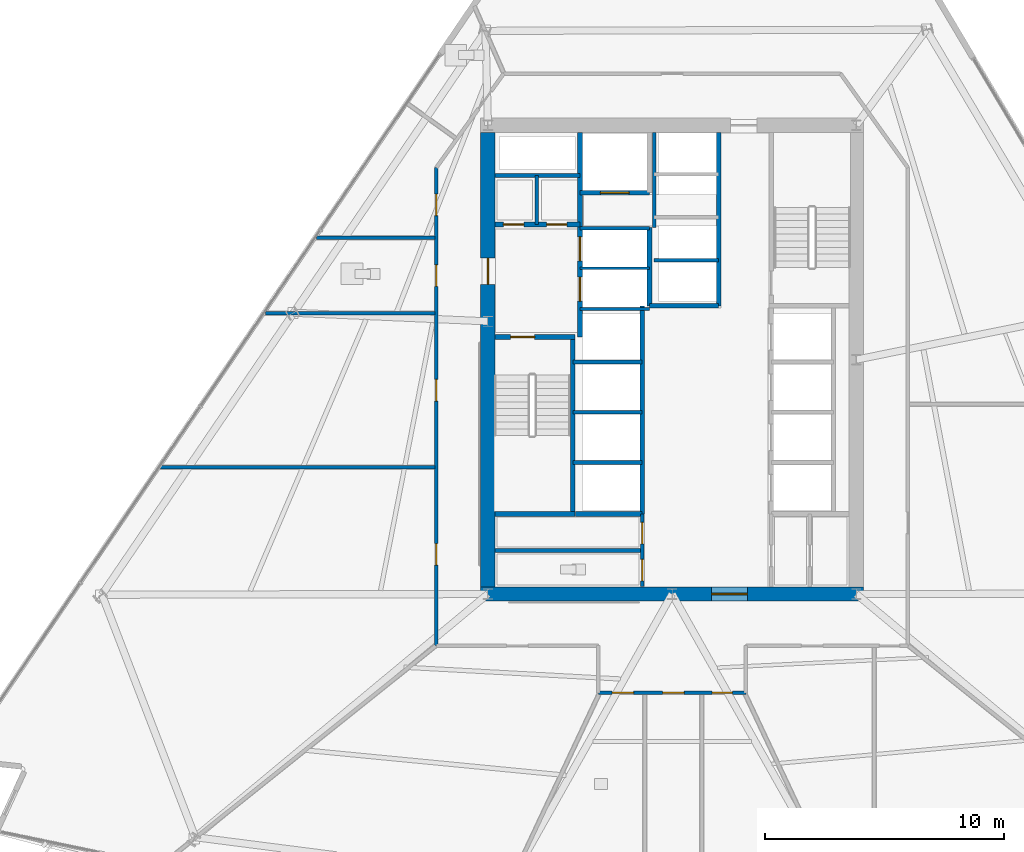
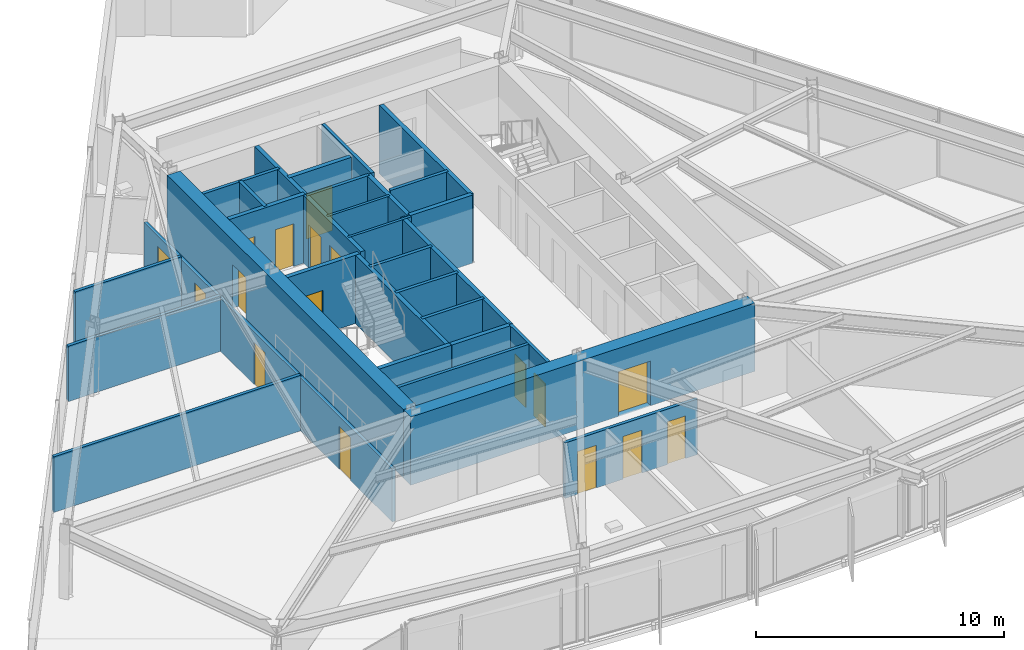
# One storey, part 9 of 18: 30 walls, 17 doors, 17 openings.
"""IFC4 building model written with IfcOpenShell, lengths in metres."""

from ifc_helpers import new_model, si_unit, direction, frame, frame_2d, origin, place, context, subcontext, project, spatial, rectangle, extrude, material, layer, layer_set, type_object, element, fill, save


model = new_model("IFC4")

# Units and contexts
model_context = context("Model", 3, precision=1e-05, world=origin(), true_north=direction((0.0, 1.0)))
body_context = subcontext(model_context, "Body", "Model", "MODEL_VIEW")
ifc_project = project(units=[si_unit("LENGTHUNIT", "METRE"), si_unit("AREAUNIT", "SQUARE_METRE"), si_unit("VOLUMEUNIT", "CUBIC_METRE"), si_unit("PLANEANGLEUNIT", "RADIAN"), si_unit("MASSUNIT", "GRAM", prefix="KILO")], contexts=[model_context])

# Site, building, storey
site_placement = place(None, origin())
site = spatial("IfcSite", under=ifc_project, at=site_placement, CompositionType="ELEMENT")
building_placement = place(site_placement, origin())
building = spatial("IfcBuilding", under=site, at=building_placement, Name="Savorim Split Tower", CompositionType="ELEMENT")
storey_placement = place(building_placement, frame((0.0, 0.0, 44.39990234375)))
storey = spatial("IfcBuildingStorey", under=building, at=storey_placement, Name="L11", CompositionType="ELEMENT", Elevation=44.39990234375)

# Wall, opening, door
ifc_material_1 = material(Name="Concrete C60/75", Category="concrete")
ifc_layer_1 = layer(ifc_material_1, 0.60009765625)
ifc_layer_set_1 = layer_set([ifc_layer_1], Name="WAL-COR-SH600")
wall_type_1 = type_object("IfcWallType", Name="WAL-COR-SH600", PredefinedType="SHEAR", material=ifc_layer_set_1)
wall_1_placement = place(storey_placement, frame((-8.0, -9.39990234375, 0.0), z_axis=(0.0, 0.0, 1.0), x_axis=(1.0, 0.0, 0.0)))
wall_1 = element("IfcWall", 1, at=wall_1_placement, inside=storey, type_object=wall_type_1, Name="L11 Offset Core South Shear Wall", PredefinedType="SHEAR", context=body_context, shape_type="SweptSolid", body=[
    extrude(rectangle(XDim=16.0, YDim=0.60009765625, at=frame_2d((8.0, 0.0))), origin(), (0.0, 0.0, 1.0), 3.35009765625),
])
opening_1_placement = place(wall_1_placement, frame((9.64990234375, 0.0, 0.0)))
opening_1 = element("IfcOpeningElement", 2, at=opening_1_placement, cuts=wall_1, Name="Opening DI-02", PredefinedType="OPENING", context=body_context, shape_type="SweptSolid", body=[
    extrude(rectangle(XDim=1.5, YDim=2.199951171875, at=frame_2d((0.75, 1.10009765625))), frame((0.0, 0.31005859375, 0.0), z_axis=(0.0, -1.0, 0.0), x_axis=(1.0, 0.0, 0.0)), (0.0, 0.0, 1.0), 0.6201171875),
])
ifc_material_2 = material(Name="Timber Fire Door Leaf", Category="wood")
door_type_1 = type_object("IfcDoorType", Name="DOR-DBL-1500", OperationType="NOTDEFINED", PredefinedType="DOOR", material=ifc_material_2)
door_1_placement = place(opening_1_placement, origin())
door_1 = element("IfcDoor", 3, at=door_1_placement, inside=storey, type_object=door_type_1, Name="DOR-L11-COR-LLOB - L11 Lift Lobby Main Rated Door", OperationType="DOUBLE_DOOR_SINGLE_SWING", OverallHeight=2.199951171875, OverallWidth=1.5, PredefinedType="DOOR", context=body_context, shape_type="SweptSolid", body=[
    extrude(rectangle(XDim=1.5, YDim=2.199951171875, at=frame_2d((0.75, 1.10009765625))), frame((0.0, 0.02490234375, 0.0), z_axis=(0.0, -1.0, 0.0), x_axis=(1.0, 0.0, 0.0)), (0.0, 0.0, 1.0), 0.050048828125),
])
fill(opening_1, door_1)

wall_2_placement = place(storey_placement, frame((-7.699951171875, -9.10009765625, 0.0), z_axis=(0.0, 0.0, 1.0), x_axis=(0.0, 1.0, 0.0)))
wall_2 = element("IfcWall", 4, at=wall_2_placement, inside=storey, type_object=wall_type_1, Name="L11 Offset Core West Shear Wall", PredefinedType="SHEAR", context=body_context, shape_type="SweptSolid", body=[
    extrude(rectangle(XDim=19.0, YDim=0.60009765625, at=frame_2d((9.5, 0.0))), origin(), (0.0, 0.0, 1.0), 3.35009765625),
])
opening_2_placement = place(wall_2_placement, frame((12.64990234375, 0.0, 0.0)))
opening_2 = element("IfcOpeningElement", 5, at=opening_2_placement, cuts=wall_2, Name="Opening DI-03", PredefinedType="OPENING", context=body_context, shape_type="SweptSolid", body=[
    extrude(rectangle(XDim=1.10009765625, YDim=2.14990234375, at=frame_2d((0.550048828125, 1.074951171875))), frame((0.0, 0.31005859375, 0.0), z_axis=(0.0, -1.0, 0.0), x_axis=(1.0, 0.0, 0.0)), (0.0, 0.0, 1.0), 0.6201171875),
])
door_type_2 = type_object("IfcDoorType", Name="DOR-FIR-1100", OperationType="NOTDEFINED", PredefinedType="DOOR", material=ifc_material_2)
door_2_placement = place(opening_2_placement, origin())
door_2 = element("IfcDoor", 6, at=door_2_placement, inside=storey, type_object=door_type_2, Name="DOR-L11-COR-FFLOB - L11 Firefighting Lobby Corridor Door", OperationType="SINGLE_SWING_LEFT", OverallHeight=2.14990234375, OverallWidth=1.10009765625, PredefinedType="DOOR", context=body_context, shape_type="SweptSolid", body=[
    extrude(rectangle(XDim=1.10009765625, YDim=2.14990234375, at=frame_2d((0.550048828125, 1.074951171875))), frame((0.0, 0.02490234375, 0.0), z_axis=(0.0, -1.0, 0.0), x_axis=(1.0, 0.0, 0.0)), (0.0, 0.0, 1.0), 0.050048828125),
])
fill(opening_2, door_2)

ifc_material_3 = material(Name="Concrete C50/60", Category="concrete")
ifc_layer_2 = layer(ifc_material_3, 0.199951171875)
ifc_layer_set_2 = layer_set([ifc_layer_2], Name="WAL-INT-RC200")
wall_type_2 = type_object("IfcWallType", Name="WAL-INT-RC200", PredefinedType="SOLIDWALL", material=ifc_layer_set_2)
wall_3_placement = place(storey_placement, frame((-7.39990234375, 1.35009765625, 0.0), z_axis=(0.0, 0.0, 1.0), x_axis=(1.0, 0.0, 0.0)))
wall_3 = element("IfcWall", 7, at=wall_3_placement, inside=storey, type_object=wall_type_2, Name="L11 Structural Shaft Wall W-L11-CR01", PredefinedType="SOLIDWALL", context=body_context, shape_type="SweptSolid", body=[
    extrude(rectangle(XDim=3.349853515625, YDim=0.199951171875, at=frame_2d((1.6748046875, 0.0))), origin(), (0.0, 0.0, 1.0), 3.35009765625),
])
opening_3_placement = place(wall_3_placement, frame((0.64990234375, 0.0, 0.0)))
opening_3 = element("IfcOpeningElement", 8, at=opening_3_placement, cuts=wall_3, Name="Opening DI-04", PredefinedType="OPENING", context=body_context, shape_type="SweptSolid", body=[
    extrude(rectangle(XDim=1.0, YDim=2.14990234375, at=frame_2d((0.5, 1.074951171875))), frame((0.0, 0.10986328125, 0.0), z_axis=(0.0, -1.0, 0.0), x_axis=(1.0, 0.0, 0.0)), (0.0, 0.0, 1.0), 0.219970703125),
])
door_type_3 = type_object("IfcDoorType", Name="DOR-FIR-1000", OperationType="NOTDEFINED", PredefinedType="DOOR", material=ifc_material_2)
door_3_placement = place(opening_3_placement, origin())
door_3 = element("IfcDoor", 9, at=door_3_placement, inside=storey, type_object=door_type_3, Name="DR-L11-ST1 - L11 Stair ST-1 Enclosure Door", OperationType="SINGLE_SWING_LEFT", OverallHeight=2.14990234375, OverallWidth=1.0, PredefinedType="DOOR", context=body_context, shape_type="SweptSolid", body=[
    extrude(rectangle(XDim=1.0, YDim=2.14990234375, at=frame_2d((0.5, 1.074951171875))), frame((0.0, 0.02490234375, 0.0), z_axis=(0.0, -1.0, 0.0), x_axis=(1.0, 0.0, 0.0)), (0.0, 0.0, 1.0), 0.050048828125),
])
fill(opening_3, door_3)

# Wall
wall_4_placement = place(storey_placement, frame((-4.14990234375, -5.949951171875, 0.0), z_axis=(0.0, 0.0, 1.0), x_axis=(0.0, 1.0, 0.0)))
element("IfcWall", 10, at=wall_4_placement, inside=storey, type_object=wall_type_2, Name="L11 Structural Shaft Wall W-L11-CR02", PredefinedType="SOLIDWALL", context=body_context, shape_type="SweptSolid", body=[
    extrude(rectangle(XDim=7.199951171875, YDim=0.199951171875, at=frame_2d((3.60009765625, 0.0))), origin(), (0.0, 0.0, 1.0), 3.35009765625),
])

# Wall, openings, doors
wall_5_placement = place(storey_placement, frame((-3.85009765625, 1.35009765625, 0.0), z_axis=(0.0, 0.0, 1.0), x_axis=(0.0, 1.0, 0.0)))
wall_5 = element("IfcWall", 11, at=wall_5_placement, inside=storey, type_object=wall_type_2, Name="L11 Partition W-L11-CR03", PredefinedType="SOLIDWALL", context=body_context, shape_type="SweptSolid", body=[
    extrude(rectangle(XDim=8.544921875, YDim=0.199951171875, at=frame_2d((4.2724609375, 0.0))), origin(), (0.0, 0.0, 1.0), 3.35009765625),
])
opening_4_placement = place(wall_5_placement, frame((1.5, 0.0, 0.0)))
opening_4 = element("IfcOpeningElement", 12, at=opening_4_placement, cuts=wall_5, Name="Opening LD-FFL", PredefinedType="OPENING", context=body_context, shape_type="SweptSolid", body=[
    extrude(rectangle(XDim=1.0, YDim=2.14990234375, at=frame_2d((0.5, 1.074951171875))), frame((0.0, 0.10986328125, 0.0), z_axis=(0.0, -1.0, 0.0), x_axis=(1.0, 0.0, 0.0)), (0.0, 0.0, 1.0), 0.219970703125),
])
opening_5_placement = place(wall_5_placement, frame((3.179931640625, 0.0, 0.0)))
opening_5 = element("IfcOpeningElement", 13, at=opening_5_placement, cuts=wall_5, Name="Opening LD-FFL", PredefinedType="OPENING", context=body_context, shape_type="SweptSolid", body=[
    extrude(rectangle(XDim=1.0, YDim=2.14990234375, at=frame_2d((0.5, 1.074951171875))), frame((0.0, 0.10986328125, 0.0), z_axis=(0.0, -1.0, 0.0), x_axis=(1.0, 0.0, 0.0)), (0.0, 0.0, 1.0), 0.219970703125),
])
ifc_material_4 = material(Name="Charcoal Anodised Aluminium", Category="aluminium")
door_type_4 = type_object("IfcDoorType", Name="DOR-SLD-LD1000", OperationType="NOTDEFINED", PredefinedType="DOOR", material=ifc_material_4)
door_4_placement = place(opening_4_placement, origin())
door_4 = element("IfcDoor", 14, at=door_4_placement, inside=storey, type_object=door_type_4, Name="DR-L11-LD-FFL1 - L11 Firefighting Lift FFL-1 Sliding Landing Door", OperationType="DOUBLE_DOOR_SLIDING", OverallHeight=2.14990234375, OverallWidth=1.0, PredefinedType="DOOR", context=body_context, shape_type="SweptSolid", body=[
    extrude(rectangle(XDim=1.0, YDim=2.14990234375, at=frame_2d((0.5, 1.074951171875))), frame((0.0, 0.02490234375, 0.0), z_axis=(0.0, -1.0, 0.0), x_axis=(1.0, 0.0, 0.0)), (0.0, 0.0, 1.0), 0.050048828125),
])
fill(opening_4, door_4)
door_5_placement = place(opening_5_placement, origin())
door_5 = element("IfcDoor", 15, at=door_5_placement, inside=storey, type_object=door_type_4, Name="DR-L11-LD-FFL2 - L11 Firefighting Lift FFL-2 Sliding Landing Door", OperationType="DOUBLE_DOOR_SLIDING", OverallHeight=2.14990234375, OverallWidth=1.0, PredefinedType="DOOR", context=body_context, shape_type="SweptSolid", body=[
    extrude(rectangle(XDim=1.0, YDim=2.14990234375, at=frame_2d((0.5, 1.074951171875))), frame((0.0, 0.02490234375, 0.0), z_axis=(0.0, -1.0, 0.0), x_axis=(1.0, 0.0, 0.0)), (0.0, 0.0, 1.0), 0.050048828125),
])
fill(opening_5, door_5)

wall_6_placement = place(storey_placement, frame((-7.39501953125, 6.050048828125, 0.0), z_axis=(0.0, 0.0, 1.0), x_axis=(1.0, 0.0, 0.0)))
wall_6 = element("IfcWall", 16, at=wall_6_placement, inside=storey, type_object=wall_type_2, Name="L11 Partition W-L11-CR04", PredefinedType="SOLIDWALL", context=body_context, shape_type="SweptSolid", body=[
    extrude(rectangle(XDim=3.544921875, YDim=0.199951171875, at=frame_2d((1.7724609375, 0.0))), origin(), (0.0, 0.0, 1.0), 3.35009765625),
])
opening_6_placement = place(wall_6_placement, frame((0.344970703125, 0.0, 0.0)))
opening_6 = element("IfcOpeningElement", 17, at=opening_6_placement, cuts=wall_6, Name="Opening DI-12", PredefinedType="OPENING", context=body_context, shape_type="SweptSolid", body=[
    extrude(rectangle(XDim=0.85009765625, YDim=2.10009765625, at=frame_2d((0.425048828125, 1.050048828125))), frame((0.0, 0.10986328125, 0.0), z_axis=(0.0, -1.0, 0.0), x_axis=(1.0, 0.0, 0.0)), (0.0, 0.0, 1.0), 0.219970703125),
])
opening_7_placement = place(wall_6_placement, frame((2.14501953125, 0.0, 0.0)))
opening_7 = element("IfcOpeningElement", 18, at=opening_7_placement, cuts=wall_6, Name="Opening DI-12", PredefinedType="OPENING", context=body_context, shape_type="SweptSolid", body=[
    extrude(rectangle(XDim=0.85009765625, YDim=2.10009765625, at=frame_2d((0.425048828125, 1.050048828125))), frame((0.0, 0.10986328125, 0.0), z_axis=(0.0, -1.0, 0.0), x_axis=(1.0, 0.0, 0.0)), (0.0, 0.0, 1.0), 0.219970703125),
])
ifc_material_5 = material(Name="Galvanised Painted Steel Balustrade", Category="steel")
door_type_5 = type_object("IfcDoorType", Name="DOR-RIS-850", OperationType="NOTDEFINED", PredefinedType="DOOR", material=ifc_material_5)
door_6_placement = place(opening_6_placement, origin())
door_6 = element("IfcDoor", 19, at=door_6_placement, inside=storey, type_object=door_type_5, Name="DR-L11-ELR - L11 Electrical Riser Access Door", OperationType="SINGLE_SWING_RIGHT", OverallHeight=2.10009765625, OverallWidth=0.85009765625, PredefinedType="DOOR", context=body_context, shape_type="SweptSolid", body=[
    extrude(rectangle(XDim=0.85009765625, YDim=2.10009765625, at=frame_2d((0.425048828125, 1.050048828125))), frame((0.0, 0.02490234375, 0.0), z_axis=(0.0, -1.0, 0.0), x_axis=(1.0, 0.0, 0.0)), (0.0, 0.0, 1.0), 0.050048828125),
])
fill(opening_6, door_6)
door_7_placement = place(opening_7_placement, origin())
door_7 = element("IfcDoor", 20, at=door_7_placement, inside=storey, type_object=door_type_5, Name="DR-L11-TLR - L11 Telecom Riser Access Door", OperationType="SINGLE_SWING_LEFT", OverallHeight=2.10009765625, OverallWidth=0.85009765625, PredefinedType="DOOR", context=body_context, shape_type="SweptSolid", body=[
    extrude(rectangle(XDim=0.85009765625, YDim=2.10009765625, at=frame_2d((0.425048828125, 1.050048828125))), frame((0.0, 0.02490234375, 0.0), z_axis=(0.0, -1.0, 0.0), x_axis=(1.0, 0.0, 0.0)), (0.0, 0.0, 1.0), 0.050048828125),
])
fill(opening_7, door_7)

# Wall
wall_7_placement = place(storey_placement, frame((-0.949951171875, 2.64990234375, 0.0), z_axis=(0.0, 0.0, 1.0), x_axis=(0.0, 1.0, 0.0)))
element("IfcWall", 21, at=wall_7_placement, inside=storey, type_object=wall_type_2, Name="L11 Partition W-L11-FFLW", PredefinedType="SOLIDWALL", context=body_context, shape_type="SweptSolid", body=[
    extrude(rectangle(XDim=3.27001953125, YDim=0.199951171875, at=frame_2d((1.635009765625, 0.0))), origin(), (0.0, 0.0, 1.0), 3.35009765625),
])

# Wall, opening, door
wall_8_placement = place(storey_placement, frame((-3.85009765625, 7.3798828125, 0.0), z_axis=(0.0, 0.0, 1.0), x_axis=(1.0, 0.0, 0.0)))
wall_8 = element("IfcWall", 22, at=wall_8_placement, inside=storey, type_object=wall_type_2, Name="L11 Partition W-L11-SVLS", PredefinedType="SOLIDWALL", context=body_context, shape_type="SweptSolid", body=[
    extrude(rectangle(XDim=2.900146484375, YDim=0.199951171875, at=frame_2d((1.4501953125, 0.0))), origin(), (0.0, 0.0, 1.0), 3.35009765625),
])
opening_8_placement = place(wall_8_placement, frame((0.85009765625, 0.0, 0.0)))
opening_8 = element("IfcOpeningElement", 23, at=opening_8_placement, cuts=wall_8, Name="Opening LD-SV", PredefinedType="OPENING", context=body_context, shape_type="SweptSolid", body=[
    extrude(rectangle(XDim=1.199951171875, YDim=2.199951171875, at=frame_2d((0.60009765625, 1.10009765625))), frame((0.0, 0.10986328125, 0.0), z_axis=(0.0, -1.0, 0.0), x_axis=(1.0, 0.0, 0.0)), (0.0, 0.0, 1.0), 0.219970703125),
])
door_type_6 = type_object("IfcDoorType", Name="DOR-SLD-SV1200", OperationType="NOTDEFINED", PredefinedType="DOOR", material=ifc_material_4)
door_8_placement = place(opening_8_placement, origin())
door_8 = element("IfcDoor", 24, at=door_8_placement, inside=storey, type_object=door_type_6, Name="DR-L11-LD-SVL1 - L11 Service Lift SVL-1 Sliding Landing Door", OperationType="DOUBLE_DOOR_SLIDING", OverallHeight=2.199951171875, OverallWidth=1.199951171875, PredefinedType="DOOR", context=body_context, shape_type="SweptSolid", body=[
    extrude(rectangle(XDim=1.199951171875, YDim=2.199951171875, at=frame_2d((0.60009765625, 1.10009765625))), frame((0.0, 0.02490234375, 0.0), z_axis=(0.0, -1.0, 0.0), x_axis=(1.0, 0.0, 0.0)), (0.0, 0.0, 1.0), 0.050048828125),
])
fill(opening_8, door_8)

# Walls
wall_9_placement = place(storey_placement, frame((-1.25, -6.050048828125, 0.0), z_axis=(0.0, 0.0, 1.0), x_axis=(0.0, 1.0, 0.0)))
element("IfcWall", 25, at=wall_9_placement, inside=storey, type_object=wall_type_2, Name="L11 Partition W-L11-B2FRONT", PredefinedType="SOLIDWALL", context=body_context, shape_type="SweptSolid", body=[
    extrude(rectangle(XDim=8.699951171875, YDim=0.199951171875, at=frame_2d((4.35009765625, 0.0))), origin(), (0.0, 0.0, 1.0), 3.35009765625),
])
wall_10_placement = place(storey_placement, frame((1.949951171875, 2.64990234375, 0.0), z_axis=(0.0, 0.0, 1.0), x_axis=(0.0, 1.0, 0.0)))
element("IfcWall", 26, at=wall_10_placement, inside=storey, type_object=wall_type_2, Name="L11 Partition W-L11-B3FRONT", PredefinedType="SOLIDWALL", context=body_context, shape_type="SweptSolid", body=[
    extrude(rectangle(XDim=7.2451171875, YDim=0.199951171875, at=frame_2d((3.62255859375, 0.0))), origin(), (0.0, 0.0, 1.0), 3.35009765625),
])
wall_11_placement = place(storey_placement, frame((-0.949951171875, 2.64990234375, 0.0), z_axis=(0.0, 0.0, 1.0), x_axis=(1.0, 0.0, 0.0)))
element("IfcWall", 27, at=wall_11_placement, inside=storey, type_object=wall_type_2, Name="L11 Partition W-L11-B3SOUTH", PredefinedType="SOLIDWALL", context=body_context, shape_type="SweptSolid", body=[
    extrude(rectangle(XDim=2.89990234375, YDim=0.199951171875, at=frame_2d((1.449951171875, 0.0))), origin(), (0.0, 0.0, 1.0), 3.35009765625),
])
wall_12_placement = place(storey_placement, frame((-7.39990234375, -6.050048828125, 0.0), z_axis=(0.0, 0.0, 1.0), x_axis=(1.0, 0.0, 0.0)))
element("IfcWall", 28, at=wall_12_placement, inside=storey, type_object=wall_type_2, Name="L11 Structural Shaft Wall W-L11-KSEP-W", PredefinedType="SOLIDWALL", context=body_context, shape_type="SweptSolid", body=[
    extrude(rectangle(XDim=3.349853515625, YDim=0.199951171875, at=frame_2d((1.6748046875, 0.0))), origin(), (0.0, 0.0, 1.0), 3.35009765625),
])
wall_13_placement = place(storey_placement, frame((-4.0400390625, -6.050048828125, 0.0), z_axis=(0.0, 0.0, 1.0), x_axis=(1.0, 0.0, 0.0)))
element("IfcWall", 29, at=wall_13_placement, inside=storey, type_object=wall_type_2, Name="L11 Partition W-L11-KSEP-W2", PredefinedType="SOLIDWALL", context=body_context, shape_type="SweptSolid", body=[
    extrude(rectangle(XDim=2.7900390625, YDim=0.199951171875, at=frame_2d((1.39501953125, 0.0))), origin(), (0.0, 0.0, 1.0), 3.35009765625),
])
ifc_material_6 = material(Name="Acoustic Gypsum Partition Board")
ifc_layer_3 = layer(ifc_material_6, 0.1201171875)
ifc_layer_set_3 = layer_set([ifc_layer_3], Name="WAL-PAR-120")
wall_type_3 = type_object("IfcWallType", Name="WAL-PAR-120", PredefinedType="PARTITIONING", material=ifc_layer_set_3)
for number, where, z_axis, x_axis, name in (
    (30, (-3.85009765625, 2.52001953125, 0.0), (0.0, 0.0, 1.0), (1.0, 0.0, 0.0), "L11 Partition W-L11-FFLD0"),
    (31, (-3.85009765625, 4.219970703125, 0.0), (0.0, 0.0, 1.0), (1.0, 0.0, 0.0), "L11 Partition W-L11-FFLD1"),
):
    element("IfcWall", number, at=place(storey_placement, frame(where, z_axis=z_axis, x_axis=x_axis)), inside=storey, type_object=wall_type_3, Name=name, PredefinedType="PARTITIONING", context=body_context, shape_type="SweptSolid", body=[
        extrude(rectangle(XDim=2.900146484375, YDim=0.1201171875, at=frame_2d((1.4501953125, 0.0))), origin(), (0.0, 0.0, 1.0), 3.35009765625),
    ])
ifc_layer_4 = layer(ifc_material_6, 0.14990234375)
ifc_layer_set_4 = layer_set([ifc_layer_4], Name="WAL-PAR-150")
wall_type_4 = type_object("IfcWallType", Name="WAL-PAR-150", PredefinedType="PARTITIONING", material=ifc_layer_set_4)
wall_14_placement = place(storey_placement, frame((-7.39501953125, 8.10009765625, 0.0), z_axis=(0.0, 0.0, 1.0), x_axis=(1.0, 0.0, 0.0)))
element("IfcWall", 32, at=wall_14_placement, inside=storey, type_object=wall_type_4, Name="L11 Partition W-L11-CR05", PredefinedType="PARTITIONING", context=body_context, shape_type="SweptSolid", body=[
    extrude(rectangle(XDim=3.544921875, YDim=0.14990234375, at=frame_2d((1.7724609375, 0.0))), origin(), (0.0, 0.0, 1.0), 3.35009765625),
])
wall_15_placement = place(storey_placement, frame((-5.64990234375, 6.050048828125, 0.0), z_axis=(0.0, 0.0, 1.0), x_axis=(0.0, 1.0, 0.0)))
element("IfcWall", 33, at=wall_15_placement, inside=storey, type_object=wall_type_4, Name="L11 Partition W-L11-CR06", PredefinedType="PARTITIONING", context=body_context, shape_type="SweptSolid", body=[
    extrude(rectangle(XDim=2.050048828125, YDim=0.14990234375, at=frame_2d((1.02490234375, 0.0))), origin(), (0.0, 0.0, 1.0), 3.35009765625),
])
wall_16_placement = place(storey_placement, frame((-3.85009765625, 5.89990234375, 0.0), z_axis=(0.0, 0.0, 1.0), x_axis=(1.0, 0.0, 0.0)))
element("IfcWall", 34, at=wall_16_placement, inside=storey, type_object=wall_type_4, Name="L11 Partition W-L11-FFLD2", PredefinedType="PARTITIONING", context=body_context, shape_type="SweptSolid", body=[
    extrude(rectangle(XDim=2.900146484375, YDim=0.14990234375, at=frame_2d((1.4501953125, 0.0))), origin(), (0.0, 0.0, 1.0), 3.35009765625),
])
for number, where, z_axis, x_axis, name in (
    (35, (-4.14990234375, -3.89990234375, 0.0), (0.0, 0.0, 1.0), (1.0, 0.0, 0.0), "L11 Partition W-L11-B2DIV1"),
    (36, (-4.14990234375, -1.800048828125, 0.0), (0.0, 0.0, 1.0), (1.0, 0.0, 0.0), "L11 Partition W-L11-B2DIV2"),
    (37, (-4.14990234375, 0.300048828125, 0.0), (0.0, 0.0, 1.0), (1.0, 0.0, 0.0), "L11 Partition W-L11-B2DIV3"),
):
    element("IfcWall", number, at=place(storey_placement, frame(where, z_axis=z_axis, x_axis=x_axis)), inside=storey, type_object=wall_type_4, Name=name, PredefinedType="PARTITIONING", context=body_context, shape_type="SweptSolid", body=[
        extrude(rectangle(XDim=2.89990234375, YDim=0.14990234375, at=frame_2d((1.449951171875, 0.0))), origin(), (0.0, 0.0, 1.0), 3.35009765625),
    ])
wall_17_placement = place(storey_placement, frame((-0.75, 5.919921875, 0.0), z_axis=(0.0, 0.0, 1.0), x_axis=(0.0, 1.0, 0.0)))
element("IfcWall", 38, at=wall_17_placement, inside=storey, type_object=wall_type_4, Name="L11 Partition W-L11-B3WEST", PredefinedType="PARTITIONING", context=body_context, shape_type="SweptSolid", body=[
    extrude(rectangle(XDim=3.97509765625, YDim=0.14990234375, at=frame_2d((1.987548828125, 0.0))), origin(), (0.0, 0.0, 1.0), 3.35009765625),
])
wall_18_placement = place(storey_placement, frame((-0.75, 4.550048828125, 0.0), z_axis=(0.0, 0.0, 1.0), x_axis=(1.0, 0.0, 0.0)))
element("IfcWall", 39, at=wall_18_placement, inside=storey, type_object=wall_type_4, Name="L11 Partition W-L11-B3DIV1", PredefinedType="PARTITIONING", context=body_context, shape_type="SweptSolid", body=[
    extrude(rectangle(XDim=2.699951171875, YDim=0.14990234375, at=frame_2d((1.35009765625, 0.0))), origin(), (0.0, 0.0, 1.0), 3.35009765625),
])

# Wall, openings, doors
wall_19_placement = place(storey_placement, frame((-1.25, -9.094970703125, 0.0), z_axis=(0.0, 0.0, 1.0), x_axis=(0.0, 1.0, 0.0)))
wall_19 = element("IfcWall", 40, at=wall_19_placement, inside=storey, type_object=wall_type_4, Name="L11 Partition W-L11-KLOB-W", PredefinedType="PARTITIONING", context=body_context, shape_type="SweptSolid", body=[
    extrude(rectangle(XDim=3.044921875, YDim=0.14990234375, at=frame_2d((1.5224609375, 0.0))), origin(), (0.0, 0.0, 1.0), 3.35009765625),
])
opening_9_placement = place(wall_19_placement, frame((1.794921875, 0.0, 0.0)))
opening_9 = element("IfcOpeningElement", 41, at=opening_9_placement, cuts=wall_19, Name="Opening DI-06", PredefinedType="OPENING", context=body_context, shape_type="SweptSolid", body=[
    extrude(rectangle(XDim=0.89990234375, YDim=2.10009765625, at=frame_2d((0.449951171875, 1.050048828125))), frame((0.0, 0.0849609375, 0.0), z_axis=(0.0, -1.0, 0.0), x_axis=(1.0, 0.0, 0.0)), (0.0, 0.0, 1.0), 0.169921875),
])
opening_10_placement = place(wall_19_placement, frame((0.2451171875, 0.0, 0.0)))
opening_10 = element("IfcOpeningElement", 42, at=opening_10_placement, cuts=wall_19, Name="Opening DI-11", PredefinedType="OPENING", context=body_context, shape_type="SweptSolid", body=[
    extrude(rectangle(XDim=0.89990234375, YDim=2.10009765625, at=frame_2d((0.449951171875, 1.050048828125))), frame((0.0, 0.0849609375, 0.0), z_axis=(0.0, -1.0, 0.0), x_axis=(1.0, 0.0, 0.0)), (0.0, 0.0, 1.0), 0.169921875),
])
door_type_7 = type_object("IfcDoorType", Name="DOR-FIR-900", OperationType="NOTDEFINED", PredefinedType="DOOR", material=ifc_material_2)
door_9_placement = place(opening_9_placement, origin())
door_9 = element("IfcDoor", 43, at=door_9_placement, inside=storey, type_object=door_type_7, Name="DR-L11-K2CLN - L11 Cleaning Store Door", OperationType="SINGLE_SWING_LEFT", OverallHeight=2.10009765625, OverallWidth=0.89990234375, PredefinedType="DOOR", context=body_context, shape_type="SweptSolid", body=[
    extrude(rectangle(XDim=0.89990234375, YDim=2.10009765625, at=frame_2d((0.449951171875, 1.050048828125))), frame((0.0, 0.02490234375, 0.0), z_axis=(0.0, -1.0, 0.0), x_axis=(1.0, 0.0, 0.0)), (0.0, 0.0, 1.0), 0.050048828125),
])
fill(opening_9, door_9)
ifc_material_7 = material(Name="Oak Veneer Acoustic Door")
door_type_8 = type_object("IfcDoorType", Name="DOR-WC-900", OperationType="NOTDEFINED", PredefinedType="DOOR", material=ifc_material_7)
door_10_placement = place(opening_10_placement, origin())
door_10 = element("IfcDoor", 44, at=door_10_placement, inside=storey, type_object=door_type_8, Name="DR-L11-K2WC - L11 Core WC Door", OperationType="SINGLE_SWING_RIGHT", OverallHeight=2.10009765625, OverallWidth=0.89990234375, PredefinedType="DOOR", context=body_context, shape_type="SweptSolid", body=[
    extrude(rectangle(XDim=0.89990234375, YDim=2.10009765625, at=frame_2d((0.449951171875, 1.050048828125))), frame((0.0, 0.02490234375, 0.0), z_axis=(0.0, -1.0, 0.0), x_axis=(1.0, 0.0, 0.0)), (0.0, 0.0, 1.0), 0.050048828125),
])
fill(opening_10, door_10)

# Wall
wall_20_placement = place(storey_placement, frame((-7.39501953125, -7.580078125, 0.0), z_axis=(0.0, 0.0, 1.0), x_axis=(1.0, 0.0, 0.0)))
element("IfcWall", 45, at=wall_20_placement, inside=storey, type_object=wall_type_4, Name="L11 Partition W-L11-K2H", PredefinedType="PARTITIONING", context=body_context, shape_type="SweptSolid", body=[
    extrude(rectangle(XDim=6.14501953125, YDim=0.14990234375, at=frame_2d((3.072509765625, 0.0))), origin(), (0.0, 0.0, 1.0), 3.35009765625),
])

# Wall, openings, doors
wall_21_placement = place(storey_placement, frame((-9.860107421875, -11.56005859375, 0.0), z_axis=(0.0, 0.0, 1.0), x_axis=(0.0, 1.0, 0.0)))
wall_21 = element("IfcWall", 46, at=wall_21_placement, inside=storey, type_object=wall_type_4, Name="L11 Partition W-L11-COR-01", PredefinedType="PARTITIONING", context=body_context, shape_type="SweptSolid", body=[
    extrude(rectangle(XDim=19.98583984375, YDim=0.14990234375, at=frame_2d((9.992919921875, 0.0))), origin(), (0.0, 0.0, 1.0), 2.609130859375),
])
opening_11_placement = place(wall_21_placement, frame((10.231201171875, 0.0, 0.0)))
opening_11 = element("IfcOpeningElement", 47, at=opening_11_placement, cuts=wall_21, Name="Opening DI-06", PredefinedType="OPENING", context=body_context, shape_type="SweptSolid", body=[
    extrude(rectangle(XDim=0.89990234375, YDim=2.10009765625, at=frame_2d((0.449951171875, 1.050048828125))), frame((0.0, 0.0849609375, 0.0), z_axis=(0.0, -1.0, 0.0), x_axis=(1.0, 0.0, 0.0)), (0.0, 0.0, 1.0), 0.169921875),
])
opening_12_placement = place(wall_21_placement, frame((3.368896484375, 0.0, 0.0)))
opening_12 = element("IfcOpeningElement", 48, at=opening_12_placement, cuts=wall_21, Name="Opening DI-06", PredefinedType="OPENING", context=body_context, shape_type="SweptSolid", body=[
    extrude(rectangle(XDim=0.89990234375, YDim=2.10009765625, at=frame_2d((0.449951171875, 1.050048828125))), frame((0.0, 0.0849609375, 0.0), z_axis=(0.0, -1.0, 0.0), x_axis=(1.0, 0.0, 0.0)), (0.0, 0.0, 1.0), 0.169921875),
])
opening_13_placement = place(wall_21_placement, frame((17.978759765625, 0.0, 0.0)))
opening_13 = element("IfcOpeningElement", 49, at=opening_13_placement, cuts=wall_21, Name="Opening DI-06", PredefinedType="OPENING", context=body_context, shape_type="SweptSolid", body=[
    extrude(rectangle(XDim=0.89990234375, YDim=2.10009765625, at=frame_2d((0.449951171875, 1.050048828125))), frame((0.0, 0.0849609375, 0.0), z_axis=(0.0, -1.0, 0.0), x_axis=(1.0, 0.0, 0.0)), (0.0, 0.0, 1.0), 0.169921875),
])
opening_14_placement = place(wall_21_placement, frame((15.026611328125, 0.0, 0.0)))
opening_14 = element("IfcOpeningElement", 50, at=opening_14_placement, cuts=wall_21, Name="Opening DI-11", PredefinedType="OPENING", context=body_context, shape_type="SweptSolid", body=[
    extrude(rectangle(XDim=0.89990234375, YDim=2.10009765625, at=frame_2d((0.449951171875, 1.050048828125))), frame((0.0, 0.0849609375, 0.0), z_axis=(0.0, -1.0, 0.0), x_axis=(1.0, 0.0, 0.0)), (0.0, 0.0, 1.0), 0.169921875),
])
door_11_placement = place(opening_11_placement, origin())
door_11 = element("IfcDoor", 51, at=door_11_placement, inside=storey, type_object=door_type_7, Name="DR-L11-RM01 - L11 Co-Working Commons Entry Door", OperationType="SINGLE_SWING_RIGHT", OverallHeight=2.10009765625, OverallWidth=0.89990234375, PredefinedType="DOOR", context=body_context, shape_type="SweptSolid", body=[
    extrude(rectangle(XDim=0.89990234375, YDim=2.10009765625, at=frame_2d((0.449951171875, 1.050048828125))), frame((0.0, 0.02490234375, 0.0), z_axis=(0.0, -1.0, 0.0), x_axis=(1.0, 0.0, 0.0)), (0.0, 0.0, 1.0), 0.050048828125),
])
fill(opening_11, door_11)
door_12_placement = place(opening_12_placement, origin())
door_12 = element("IfcDoor", 52, at=door_12_placement, inside=storey, type_object=door_type_7, Name="DR-L11-RM02 - L11 Co-Working Commons Entry Door", OperationType="SINGLE_SWING_LEFT", OverallHeight=2.10009765625, OverallWidth=0.89990234375, PredefinedType="DOOR", context=body_context, shape_type="SweptSolid", body=[
    extrude(rectangle(XDim=0.89990234375, YDim=2.10009765625, at=frame_2d((0.449951171875, 1.050048828125))), frame((0.0, 0.02490234375, 0.0), z_axis=(0.0, -1.0, 0.0), x_axis=(1.0, 0.0, 0.0)), (0.0, 0.0, 1.0), 0.050048828125),
])
fill(opening_12, door_12)
door_13_placement = place(opening_13_placement, origin())
door_13 = element("IfcDoor", 53, at=door_13_placement, inside=storey, type_object=door_type_7, Name="DR-L11-RM12 - L11 Co-Living Bedroom Entry Door", OperationType="SINGLE_SWING_LEFT", OverallHeight=2.10009765625, OverallWidth=0.89990234375, PredefinedType="DOOR", context=body_context, shape_type="SweptSolid", body=[
    extrude(rectangle(XDim=0.89990234375, YDim=2.10009765625, at=frame_2d((0.449951171875, 1.050048828125))), frame((0.0, 0.02490234375, 0.0), z_axis=(0.0, -1.0, 0.0), x_axis=(1.0, 0.0, 0.0)), (0.0, 0.0, 1.0), 0.050048828125),
])
fill(opening_13, door_13)
door_14_placement = place(opening_14_placement, origin())
door_14 = element("IfcDoor", 54, at=door_14_placement, inside=storey, type_object=door_type_8, Name="DR-L11-RM13 - L11 Shared Bathroom Entry Door", OperationType="SINGLE_SWING_RIGHT", OverallHeight=2.10009765625, OverallWidth=0.89990234375, PredefinedType="DOOR", context=body_context, shape_type="SweptSolid", body=[
    extrude(rectangle(XDim=0.89990234375, YDim=2.10009765625, at=frame_2d((0.449951171875, 1.050048828125))), frame((0.0, 0.02490234375, 0.0), z_axis=(0.0, -1.0, 0.0), x_axis=(1.0, 0.0, 0.0)), (0.0, 0.0, 1.0), 0.050048828125),
])
fill(opening_14, door_14)

wall_22_placement = place(storey_placement, frame((3.080078125, -13.530029296875, 0.0), z_axis=(0.0, 0.0, 1.0), x_axis=(-1.0, 0.0, 0.0)))
wall_22 = element("IfcWall", 55, at=wall_22_placement, inside=storey, type_object=wall_type_4, Name="L11 Partition W-L11-COR-08", PredefinedType="PARTITIONING", context=body_context, shape_type="SweptSolid", body=[
    extrude(rectangle(XDim=6.16015625, YDim=0.14990234375, at=frame_2d((3.080078125, 0.0))), origin(), (0.0, 0.0, 1.0), 2.72509765625),
])
opening_15_placement = place(wall_22_placement, frame((4.689697265625, 0.0, 0.0)))
opening_15 = element("IfcOpeningElement", 56, at=opening_15_placement, cuts=wall_22, Name="Opening DI-06", PredefinedType="OPENING", context=body_context, shape_type="SweptSolid", body=[
    extrude(rectangle(XDim=0.89990234375, YDim=2.10009765625, at=frame_2d((0.449951171875, 1.050048828125))), frame((0.0, 0.0849609375, 0.0), z_axis=(0.0, -1.0, 0.0), x_axis=(1.0, 0.0, 0.0)), (0.0, 0.0, 1.0), 0.169921875),
])
opening_16_placement = place(wall_22_placement, frame((2.58056640625, 0.0, 0.0)))
opening_16 = element("IfcOpeningElement", 57, at=opening_16_placement, cuts=wall_22, Name="Opening DI-06", PredefinedType="OPENING", context=body_context, shape_type="SweptSolid", body=[
    extrude(rectangle(XDim=0.89990234375, YDim=2.10009765625, at=frame_2d((0.449951171875, 1.050048828125))), frame((0.0, 0.0849609375, 0.0), z_axis=(0.0, -1.0, 0.0), x_axis=(1.0, 0.0, 0.0)), (0.0, 0.0, 1.0), 0.169921875),
])
opening_17_placement = place(wall_22_placement, frame((0.56103515625, 0.0, 0.0)))
opening_17 = element("IfcOpeningElement", 58, at=opening_17_placement, cuts=wall_22, Name="Opening DI-13", PredefinedType="OPENING", context=body_context, shape_type="SweptSolid", body=[
    extrude(rectangle(XDim=0.85009765625, YDim=2.10009765625, at=frame_2d((0.425048828125, 1.050048828125))), frame((0.0, 0.0849609375, 0.0), z_axis=(0.0, -1.0, 0.0), x_axis=(1.0, 0.0, 0.0)), (0.0, 0.0, 1.0), 0.169921875),
])
door_type_9 = type_object("IfcDoorType", Name="DOR-FIR-850", OperationType="NOTDEFINED", PredefinedType="DOOR", material=ifc_material_2)
door_15_placement = place(opening_17_placement, origin())
door_15 = element("IfcDoor", 59, at=door_15_placement, inside=storey, type_object=door_type_9, Name="DR-L11-RM06 - L11 Maker Workshop Entry Door", OperationType="SINGLE_SWING_LEFT", OverallHeight=2.10009765625, OverallWidth=0.85009765625, PredefinedType="DOOR", context=body_context, shape_type="SweptSolid", body=[
    extrude(rectangle(XDim=0.85009765625, YDim=2.10009765625, at=frame_2d((0.425048828125, 1.050048828125))), frame((0.0, 0.02490234375, 0.0), z_axis=(0.0, -1.0, 0.0), x_axis=(1.0, 0.0, 0.0)), (0.0, 0.0, 1.0), 0.050048828125),
])
fill(opening_17, door_15)
door_16_placement = place(opening_15_placement, origin())
door_16 = element("IfcDoor", 60, at=door_16_placement, inside=storey, type_object=door_type_7, Name="DR-L11-RM04 - L11 Shared Kitchen Entry Door", OperationType="SINGLE_SWING_LEFT", OverallHeight=2.10009765625, OverallWidth=0.89990234375, PredefinedType="DOOR", context=body_context, shape_type="SweptSolid", body=[
    extrude(rectangle(XDim=0.89990234375, YDim=2.10009765625, at=frame_2d((0.449951171875, 1.050048828125))), frame((0.0, 0.02490234375, 0.0), z_axis=(0.0, -1.0, 0.0), x_axis=(1.0, 0.0, 0.0)), (0.0, 0.0, 1.0), 0.050048828125),
])
fill(opening_15, door_16)
door_17_placement = place(opening_16_placement, origin())
door_17 = element("IfcDoor", 61, at=door_17_placement, inside=storey, type_object=door_type_7, Name="DR-L11-RM05 - L11 Quiet Study Room Entry Door", OperationType="SINGLE_SWING_RIGHT", OverallHeight=2.10009765625, OverallWidth=0.89990234375, PredefinedType="DOOR", context=body_context, shape_type="SweptSolid", body=[
    extrude(rectangle(XDim=0.89990234375, YDim=2.10009765625, at=frame_2d((0.449951171875, 1.050048828125))), frame((0.0, 0.02490234375, 0.0), z_axis=(0.0, -1.0, 0.0), x_axis=(1.0, 0.0, 0.0)), (0.0, 0.0, 1.0), 0.050048828125),
])
fill(opening_16, door_17)

# Walls
wall_23_placement = place(storey_placement, frame((-9.919921875, 2.343017578125, 0.0), z_axis=(0.0, 0.0, 1.0), x_axis=(-1.0, 0.0, 0.0)))
element("IfcWall", 62, at=wall_23_placement, inside=storey, type_object=wall_type_4, Name="L11 Partition W-L11-PRAD09", PredefinedType="PARTITIONING", context=body_context, shape_type="SweptSolid", body=[
    extrude(rectangle(XDim=7.083251953125, YDim=0.14990234375, at=frame_2d((3.54150390625, 0.0))), origin(), (0.0, 0.0, 1.0), 2.72509765625),
])
wall_24_placement = place(storey_placement, frame((-9.919921875, -4.100341796875, 0.0), z_axis=(0.0, 0.0, 1.0), x_axis=(-1.0, 0.0, 0.0)))
element("IfcWall", 63, at=wall_24_placement, inside=storey, type_object=wall_type_4, Name="L11 Partition W-L11-SUB03", PredefinedType="PARTITIONING", context=body_context, shape_type="SweptSolid", body=[
    extrude(rectangle(XDim=11.466552734375, YDim=0.14990234375, at=frame_2d((5.7333984375, 0.0))), origin(), (0.0, 0.0, 1.0), 2.735107421875),
])
wall_25_placement = place(storey_placement, frame((-9.919921875, 5.489990234375, 0.0), z_axis=(0.0, 0.0, 1.0), x_axis=(-1.0, 0.0, 0.0)))
element("IfcWall", 64, at=wall_25_placement, inside=storey, type_object=wall_type_4, Name="L11 Partition W-L11-SUB07", PredefinedType="PARTITIONING", context=body_context, shape_type="SweptSolid", body=[
    extrude(rectangle(XDim=4.9423828125, YDim=0.14990234375, at=frame_2d((2.47119140625, 0.0))), origin(), (0.0, 0.0, 1.0), 2.735107421875),
])

save(model, "model.ifc")
